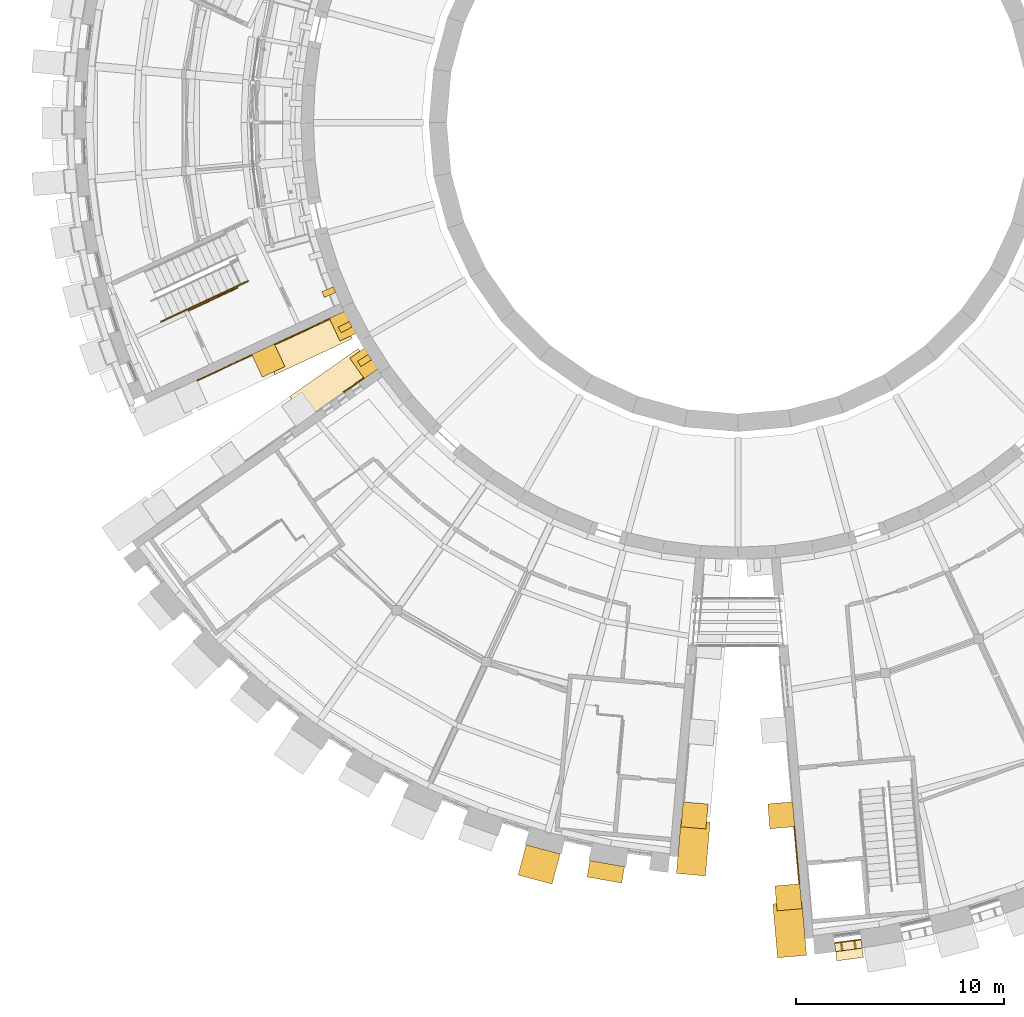
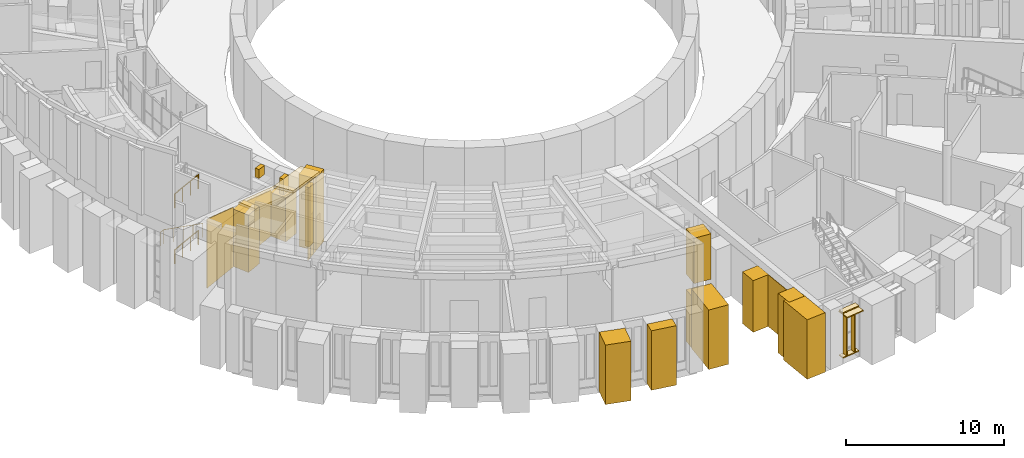
# One storey, part 52 of 66: 28 coverings, 3 railings.
"""IFC4 building model written with IfcOpenShell, lengths in metres."""

from ifc_helpers import new_model, si_unit, direction, frame, origin, origin_2d, place, context, subcontext, project, spatial, polyline, rectangle, circle, outline, extrude, material, layer, layer_set, type_object, element, save


model = new_model("IFC4")

# Units and contexts
model_context = context("Model", 3, precision=1e-05, world=origin(), true_north=direction((0.0, 1.0)))
body_context = subcontext(model_context, "Body", "Model", "MODEL_VIEW")
ifc_project = project(units=[si_unit("LENGTHUNIT", "METRE"), si_unit("AREAUNIT", "SQUARE_METRE"), si_unit("VOLUMEUNIT", "CUBIC_METRE"), si_unit("PLANEANGLEUNIT", "RADIAN"), si_unit("MASSUNIT", "GRAM", prefix="KILO")], contexts=[model_context])

# Site, building, storey
site_placement = place(None, origin())
site = spatial("IfcSite", under=ifc_project, at=site_placement, CompositionType="ELEMENT")
building_placement = place(site_placement, origin())
building = spatial("IfcBuilding", under=site, at=building_placement, Name="Volute Hill Aquarium", CompositionType="ELEMENT")
storey_placement = place(building_placement, frame((0.0, 0.0, 4.60009765625)))
storey = spatial("IfcBuildingStorey", under=building, at=storey_placement, Name="L02", CompositionType="ELEMENT", Elevation=4.60009765625)

# Coverings
ifc_material_1 = material(Name="Precast pale concrete C40/50", Category="concrete")
covering_type_1 = type_object("IfcCoveringType", Name="Drum pier fin 300x600", PredefinedType="CLADDING", material=ifc_material_1)
covering_1_placement = place(storey_placement, frame((-19.660400390625, -8.1435546875, 3.89990234375), z_axis=(0.0, 0.0, 1.0), x_axis=(0.382683432365, -0.923879532511, 0.0)))
element("IfcCovering", 1, at=covering_1_placement, inside=storey, type_object=covering_type_1, Name="Drum pier fin DF 41 L02", PredefinedType="CLADDING", context=body_context, shape_type="SweptSolid", body=[
    extrude(rectangle(XDim=0.300048828125, YDim=0.60009765625, at=origin_2d()), origin(), (0.0, 0.0, 1.0), 0.699951171875),
])
for number, where, z_axis, x_axis, name in (
    (2, (-18.8759765625, -9.826171875, -0.000244140625), (0.0, 0.0, 1.0), (0.461748613235, -0.887010833178, 0.0), "Drum pier fin DF 42 L02"),
    (3, (-17.947509765625, -11.433837890625, -0.000244140625), (0.0, 0.0, 1.0), (0.537299608347, -0.843391445813, 0.0), "Drum pier fin DF 43 L02"),
):
    element("IfcCovering", number, at=place(storey_placement, frame(where, z_axis=z_axis, x_axis=x_axis)), inside=storey, type_object=covering_type_1, Name=name, PredefinedType="CLADDING", context=body_context, shape_type="SweptSolid", body=[
        extrude(rectangle(XDim=0.300048828125, YDim=0.60009765625, at=origin_2d()), origin(), (0.0, 0.0, 1.0), 4.60009765625),
    ])
ifc_material_2 = material(Name="Precast concrete C40/50", Category="concrete")
covering_type_2 = type_object("IfcCoveringType", Name="End wall precast coping C40/50 1350x200", PredefinedType="CLADDING", material=ifc_material_2)
covering_2_placement = place(storey_placement, frame((-19.09130859375, -9.150634765625, 3.385498046875), z_axis=(-0.422602872561, 0.90631496297, 0.0), x_axis=(-0.877774208251, -0.409294690061, 0.248978505129)))
element("IfcCovering", 4, at=covering_2_placement, inside=storey, type_object=covering_type_2, Name="End wall coping EWC S1B L02 1", PredefinedType="CLADDING", context=body_context, shape_type="SweptSolid", body=[
    extrude(outline(polyline([(0.0, 0.0), (4.248805846015337, 0.0), (4.298589389887601, 0.19365451167918635), (0.04978354387226434, 0.19365451167918635), (0.0, 0.0)])), origin(), (0.0, 0.0, -1.0), 1.35009765625),
])
covering_3_placement = place(storey_placement, frame((-18.244873046875, -10.852294921875, 5.58544921875), z_axis=(-0.573593095767, 0.819140378988, 0.0), x_axis=(-0.793348580388, -0.555532702232, 0.248960733343)))
element("IfcCovering", 5, at=covering_3_placement, inside=storey, type_object=covering_type_2, Name="End wall coping EWC S2A L02 1", PredefinedType="CLADDING", context=body_context, shape_type="SweptSolid", body=[
    extrude(outline(polyline([(0.0, 0.0), (4.140258204210444, 1.1102230246251565e-16), (4.190098976022295, 0.19389187866481605), (0.04977999038281135, 0.19365542515424916), (0.0, 0.0)])), origin(), (0.0, 0.0, -1.0), 1.35009765625),
])
ifc_material_3 = material(Name="Precast concrete C40/50", Category="concrete")
covering_type_3 = type_object("IfcCoveringType", Name="End wall precast fin C40/50 1200x1200", PredefinedType="CLADDING", material=ifc_material_3)
covering_4_placement = place(storey_placement, frame((-18.837890625, -9.694580078125, 0.0), z_axis=(0.0, 0.0, 1.0), x_axis=(-0.906307811488, -0.422618209304, 0.0)))
element("IfcCovering", 6, at=covering_4_placement, inside=storey, type_object=covering_type_3, Name="End wall fin EWF S1B L02 1", PredefinedType="CLADDING", context=body_context, shape_type="SweptSolid", body=[
    extrude(rectangle(XDim=1.199951171875, YDim=1.199951171875, at=origin_2d()), origin(), (0.0, 0.0, 1.0), 3.385498046875),
])
covering_5_placement = place(storey_placement, frame((-22.5673828125, -11.43359375, 0.0), z_axis=(0.0, 0.0, 1.0), x_axis=(-0.906307811488, -0.422618209304, 0.0)))
element("IfcCovering", 7, at=covering_5_placement, inside=storey, type_object=covering_type_3, Name="End wall fin EWF S1B L02 2", PredefinedType="CLADDING", context=body_context, shape_type="SweptSolid", body=[
    extrude(rectangle(XDim=1.199951171875, YDim=1.199951171875, at=origin_2d()), origin(), (0.0, 0.0, 1.0), 4.443359375),
])
covering_6_placement = place(storey_placement, frame((-17.814697265625, -11.466796875, 0.0), z_axis=(0.0, 0.0, 1.0), x_axis=(-0.81915382895, -0.573573887583, 0.0)))
element("IfcCovering", 8, at=covering_6_placement, inside=storey, type_object=covering_type_3, Name="End wall fin EWF S2A L02 1", PredefinedType="CLADDING", context=body_context, shape_type="SweptSolid", body=[
    extrude(rectangle(XDim=1.199951171875, YDim=1.199951171875, at=origin_2d()), origin(), (0.0, 0.0, 1.0), 5.58544921875),
])
covering_7_placement = place(storey_placement, frame((-2.084716796875, -33.294921875, 0.0), z_axis=(0.0, 0.0, 1.0), x_axis=(-0.087151294349, -0.996195087266, 0.0)))
element("IfcCovering", 9, at=covering_7_placement, inside=storey, type_object=covering_type_3, Name="End wall fin EWF S2B L02 4", PredefinedType="CLADDING", context=body_context, shape_type="SweptSolid", body=[
    extrude(rectangle(XDim=1.199951171875, YDim=1.199951171875, at=origin_2d()), origin(), (0.0, 0.0, 1.0), 4.0),
])
covering_8_placement = place(storey_placement, frame((-2.084716796875, -33.294921875, 5.19970703125), z_axis=(0.0, 0.0, 1.0), x_axis=(-0.087151294349, -0.996195087266, 0.0)))
element("IfcCovering", 10, at=covering_8_placement, inside=storey, type_object=covering_type_3, Name="End wall fin EWF S2B L02 4", PredefinedType="CLADDING", context=body_context, shape_type="SweptSolid", body=[
    extrude(rectangle(XDim=1.199951171875, YDim=1.199951171875, at=origin_2d()), origin(), (0.0, 0.0, 1.0), 3.516845703125),
])
covering_9_placement = place(storey_placement, frame((2.084228515625, -33.28759765625, 0.0), z_axis=(0.0, 0.0, 1.0), x_axis=(0.0871544444, -0.996194811682, 0.0)))
element("IfcCovering", 11, at=covering_9_placement, inside=storey, type_object=covering_type_3, Name="End wall fin EWF S3A L02 4", PredefinedType="CLADDING", context=body_context, shape_type="SweptSolid", body=[
    extrude(rectangle(XDim=1.199951171875, YDim=1.199951171875, at=origin_2d()), origin(), (0.0, 0.0, 1.0), 4.0),
])
covering_10_placement = place(storey_placement, frame((2.42919921875, -37.22998046875, -0.000244140625), z_axis=(0.0, 0.0, 1.0), x_axis=(0.0871544444, -0.996194811682, 0.0)))
element("IfcCovering", 12, at=covering_10_placement, inside=storey, type_object=covering_type_3, Name="End wall fin EWF S3A L02 5", PredefinedType="CLADDING", context=body_context, shape_type="SweptSolid", body=[
    extrude(rectangle(XDim=1.199951171875, YDim=1.199951171875, at=origin_2d()), origin(), (0.0, 0.0, 1.0), 4.60009765625),
])
ifc_material_4 = material(Name="Precast concrete C40/50", Category="concrete")
ifc_layer_1 = layer(ifc_material_4, 0.050048828125)
ifc_layer_set_1 = layer_set([ifc_layer_1], Name="End wall precast infill panel C40/50 50")
covering_type_4 = type_object("IfcCoveringType", Name="End wall precast infill panel C40/50 50", PredefinedType="CLADDING", material=ifc_layer_set_1)
covering_11_placement = place(storey_placement, frame((-19.63525390625, -9.404296875, 0.0), z_axis=(-0.422624097709, 0.906305065657, 0.0), x_axis=(-0.906305065657, -0.422624097709, 0.0)))
element("IfcCovering", 13, at=covering_11_placement, inside=storey, type_object=covering_type_4, Name="End wall panel EWP S1B L02 1", PredefinedType="CLADDING", context=body_context, shape_type="SweptSolid", body=[
    extrude(outline(polyline([(0.0, 0.0), (2.914962966922533, 0.0), (2.914962966922533, 4.2890625), (0.0, 3.53955078125), (0.0, 0.0)])), origin(), (0.0, 0.0, -1.0), 0.050048828125),
])
covering_12_placement = place(storey_placement, frame((-23.364501953125, -11.143310546875, 0.0), z_axis=(-0.422592019782, 0.906320023401, 0.0), x_axis=(-0.906320023401, -0.422592019782, 0.0)))
element("IfcCovering", 14, at=covering_12_placement, inside=storey, type_object=covering_type_4, Name="End wall panel EWP S1B L02 2", PredefinedType="CLADDING", context=body_context, shape_type="SweptSolid", body=[
    extrude(outline(polyline([(0.0, 0.0), (2.915184234633669, 0.0), (2.915184234633669, 5.346923828125), (0.0, 4.59765625), (0.0, 0.0)])), origin(), (0.0, 0.0, -1.0), 0.050048828125),
])
covering_13_placement = place(storey_placement, frame((-17.99072265625, -12.261474609375, 0.0), z_axis=(-0.573608157975, 0.819129831653, 0.0), x_axis=(-0.819129831653, -0.573608157975, 0.0)))
element("IfcCovering", 15, at=covering_13_placement, inside=storey, type_object=covering_type_4, Name="End wall panel EWP S2A L02 1", PredefinedType="CLADDING", context=body_context, shape_type="SweptSolid", body=[
    extrude(outline(polyline([(0.0, 0.0), (0.3370931398232899, 0.0), (0.3370931398232899, 5.826416015625), (0.0, 5.73974609375), (0.0, 0.0)])), origin(), (0.0, 0.0, -1.0), 0.050048828125),
])
covering_14_placement = place(storey_placement, frame((-18.266845703125, -12.454833984375, 0.0), z_axis=(-0.573462344363, 0.819231920519, 0.0), x_axis=(-0.819231920519, -0.573462344363, 0.0)))
element("IfcCovering", 16, at=covering_14_placement, inside=storey, type_object=covering_type_4, Name="End wall panel EWP S2A L02 1", PredefinedType="CLADDING", context=body_context, shape_type="SweptSolid", body=[
    extrude(outline(polyline([(0.0, 0.0), (0.4499975336854954, 0.0), (0.4499975336854954, 0.89990234375), (0.0, 0.89990234375), (0.0, 0.0)])), origin(), (0.0, 0.0, -1.0), 0.050048828125),
])
covering_15_placement = place(storey_placement, frame((-18.266845703125, -12.454833984375, 3.2998046875), z_axis=(-0.573462344363, 0.819231920519, 0.0), x_axis=(-0.819231920519, -0.573462344363, 0.0)))
element("IfcCovering", 17, at=covering_15_placement, inside=storey, type_object=covering_type_4, Name="End wall panel EWP S2A L02 1", PredefinedType="CLADDING", context=body_context, shape_type="SweptSolid", body=[
    extrude(outline(polyline([(0.0, 0.0), (0.4499975336854954, 0.0), (0.4499975336854954, 2.642333984375), (0.0, 2.526611328125), (0.0, 0.0)])), origin(), (0.0, 0.0, -1.0), 0.050048828125),
])
covering_16_placement = place(storey_placement, frame((-18.635498046875, -12.712890625, 0.0), z_axis=(-0.573629173651, 0.819115114704, 0.0), x_axis=(-0.819115114704, -0.573629173651, 0.0)))
element("IfcCovering", 18, at=covering_16_placement, inside=storey, type_object=covering_type_4, Name="End wall panel EWP S2A L02 1", PredefinedType="CLADDING", context=body_context, shape_type="SweptSolid", body=[
    extrude(outline(polyline([(0.0, 0.0), (0.3928353145653525, 0.0), (0.3928353145653525, 6.04296875), (0.0, 5.942138671875), (0.0, 0.0)])), origin(), (0.0, 0.0, -1.0), 0.050048828125),
])
covering_17_placement = place(storey_placement, frame((2.684326171875, -33.83740234375, 0.0), z_axis=(-0.996189583761, -0.087214180073, 0.0), x_axis=(0.087214180073, -0.996189583761, 0.0)))
element("IfcCovering", 19, at=covering_17_placement, inside=storey, type_object=covering_type_4, Name="End wall panel EWP S3A L02 4", PredefinedType="CLADDING", context=body_context, shape_type="SweptSolid", body=[
    extrude(outline(polyline([(0.0, 0.0), (2.75733275738977, 0.0), (2.75733275738977, 4.000000000000001), (0.0, 4.000000000000001), (0.0, 0.0)])), origin(), (0.0, 0.0, -1.0), 0.050048828125),
])

# Railings
ifc_material_5 = material(Name="Stainless steel 1.4301", Category="steel")
railing_type = type_object("IfcRailingType", Name="Guard 1100 stainless", PredefinedType="GUARDRAIL", material=ifc_material_5)
railing_1_placement = place(storey_placement, frame((-26.4052734375, -9.035888671875, 0.0)))
element("IfcRailing", 20, at=railing_1_placement, inside=storey, type_object=railing_type, Name="gd/S1-B/L02/edge", PredefinedType="GUARDRAIL", context=body_context, shape_type="SweptSolid", body=[
    extrude(circle(Radius=0.02392578125, at=origin_2d()), frame((0.0, 0.0, 1.076171875), z_axis=(0.906300648467, 0.422633570115, 0.0), x_axis=(-0.422633570115, 0.906300648467, 0.0)), (0.0, 0.0, 1.0), 2.60009765625),
    extrude(circle(Radius=0.02099609375, at=origin_2d()), origin(), (0.0, 0.0, 1.0), 1.052001953125),
    extrude(circle(Radius=0.02099609375, at=origin_2d()), frame((0.785400390625, 0.3662109375, 0.0)), (0.0, 0.0, 1.0), 1.052001953125),
    extrude(circle(Radius=0.02099609375, at=origin_2d()), frame((1.571044921875, 0.732666015625, 0.0)), (0.0, 0.0, 1.0), 1.052001953125),
    extrude(circle(Radius=0.02099609375, at=origin_2d()), frame((2.3564453125, 1.098876953125, 0.0)), (0.0, 0.0, 1.0), 1.052001953125),
])
railing_2_placement = place(storey_placement, frame((-23.538818359375, -7.611083984375, 0.166015625)))
element("IfcRailing", 21, at=railing_2_placement, inside=storey, type_object=railing_type, Name="gd/S1-B/L02/1", PredefinedType="GUARDRAIL", context=body_context, shape_type="SweptSolid", body=[
    extrude(circle(Radius=0.02392578125, at=origin_2d()), frame((0.0, 0.0, 1.076171875), z_axis=(-0.822891101638, -0.383711396025, 0.419065387983), x_axis=(0.42261009579, -0.906311594837, 0.0)), (0.0, 0.0, 1.0), 4.758056640625),
    extrude(circle(Radius=0.02392578125, at=origin_2d()), frame((-3.915283203125, -1.82568359375, 3.06982421875), z_axis=(-0.906453195831, -0.422306291415, 0.0), x_axis=(0.422306291415, -0.906453195831, 0.0)), (0.0, 0.0, 1.0), 0.300048828125),
    extrude(circle(Radius=0.02099609375, at=origin_2d()), origin(), (0.0, 0.0, 1.0), 1.052001953125),
    extrude(circle(Radius=0.02099609375, at=origin_2d()), frame((-0.978759765625, -0.45654296875, 0.49853515625)), (0.0, 0.0, 1.0), 1.052001953125),
    extrude(circle(Radius=0.02099609375, at=origin_2d()), frame((-1.95751953125, -0.912841796875, 0.9970703125)), (0.0, 0.0, 1.0), 1.052001953125),
    extrude(circle(Radius=0.02099609375, at=origin_2d()), frame((-2.9365234375, -1.369140625, 1.495361328125)), (0.0, 0.0, 1.0), 1.052001953125),
    extrude(circle(Radius=0.02099609375, at=origin_2d()), frame((-3.915283203125, -1.82568359375, 1.993896484375)), (0.0, 0.0, 1.0), 1.052001953125),
    extrude(circle(Radius=0.02099609375, at=origin_2d()), frame((-4.187255859375, -1.952392578125, 1.993896484375)), (0.0, 0.0, 1.0), 1.052001953125),
])
railing_3_placement = place(storey_placement, frame((-26.4052734375, -9.035888671875, 4.31982421875)))
element("IfcRailing", 22, at=railing_3_placement, inside=storey, type_object=railing_type, Name="gd/S1-B/L02/roof", PredefinedType="GUARDRAIL", context=body_context, shape_type="SweptSolid", body=[
    extrude(circle(Radius=0.02392578125, at=origin_2d()), frame((0.0, 0.0, 1.076171875), z_axis=(0.906300648467, 0.422633570115, 0.0), x_axis=(-0.422633570115, 0.906300648467, 0.0)), (0.0, 0.0, 1.0), 2.60009765625),
    extrude(circle(Radius=0.02099609375, at=origin_2d()), origin(), (0.0, 0.0, 1.0), 1.052001953125),
    extrude(circle(Radius=0.02099609375, at=origin_2d()), frame((0.785400390625, 0.3662109375, 0.0)), (0.0, 0.0, 1.0), 1.052001953125),
    extrude(circle(Radius=0.02099609375, at=origin_2d()), frame((1.571044921875, 0.732666015625, 0.0)), (0.0, 0.0, 1.0), 1.052001953125),
    extrude(circle(Radius=0.02099609375, at=origin_2d()), frame((2.3564453125, 1.098876953125, 0.0)), (0.0, 0.0, 1.0), 1.052001953125),
])

# Coverings
ifc_material_6 = material(Name="Aluminium, anodised", Category="aluminium")
ifc_layer_2 = layer(ifc_material_6, 0.080078125)
ifc_layer_set_2 = layer_set([ifc_layer_2], Name="Horizontal brise-soleil eyebrow 900x80")
covering_type_5 = type_object("IfcCoveringType", Name="Horizontal brise-soleil eyebrow 900x80", PredefinedType="CLADDING", material=ifc_layer_set_2)
covering_18_placement = place(storey_placement, frame((5.3349609375, -39.756103515625, 3.809814453125), z_axis=(0.0, 0.0, 1.0), x_axis=(0.991446923126, 0.130510530703, 0.0)))
element("IfcCovering", 23, at=covering_18_placement, inside=storey, type_object=covering_type_5, Name="Brise-soleil eyebrow BS S3 L02 1.1", PredefinedType="CLADDING", context=body_context, shape_type="SweptSolid", body=[
    extrude(rectangle(XDim=1.2890625, YDim=0.89990234375, at=origin_2d()), origin(), (0.0, 0.0, 1.0), 0.080078125),
])
ifc_material_7 = material(Name="Precast concrete C40/50", Category="concrete")
covering_type_6 = type_object("IfcCoveringType", Name="Projecting pier precast concrete C40/50 1689x1500", PredefinedType="CLADDING", material=ifc_material_7)
covering_19_placement = place(storey_placement, frame((-9.55322265625, -35.653076171875, -0.000244140625), z_axis=(0.0, 0.0, 1.0), x_axis=(0.965925826289, -0.258819045103, 0.0)))
element("IfcCovering", 24, at=covering_19_placement, inside=storey, type_object=covering_type_6, Name="Projecting pier PP S2 L02 8", PredefinedType="CLADDING", context=body_context, shape_type="SweptSolid", body=[
    extrude(rectangle(XDim=1.688720703125, YDim=1.5, at=origin_2d()), origin(), (0.0, 0.0, 1.0), 4.60009765625),
])
ifc_material_8 = material(Name="Precast concrete C40/50", Category="concrete")
covering_type_7 = type_object("IfcCoveringType", Name="Projecting pier precast concrete C40/50 1689x800", PredefinedType="CLADDING", material=ifc_material_8)
covering_20_placement = place(storey_placement, frame((-6.3486328125, -36.00537109375, -0.000244140625), z_axis=(0.0, 0.0, 1.0), x_axis=(0.984807753012, -0.173648177667, 0.0)))
element("IfcCovering", 25, at=covering_20_placement, inside=storey, type_object=covering_type_7, Name="Projecting pier PP S2 L02 9", PredefinedType="CLADDING", context=body_context, shape_type="SweptSolid", body=[
    extrude(rectangle(XDim=1.688720703125, YDim=0.800048828125, at=origin_2d()), origin(), (0.0, 0.0, 1.0), 4.60009765625),
])
ifc_material_9 = material(Name="Precast concrete C40/50", Category="concrete")
covering_type_8 = type_object("IfcCoveringType", Name="Step pylon precast concrete C40/50 1400x2600", PredefinedType="CLADDING", material=ifc_material_9)
for number, where, z_axis, x_axis, name in (
    (26, (-2.14501953125, -34.845703125, -0.000244140625), (0.0, 0.0, 1.0), (-0.087155742748, -0.996194698092, 0.0), "Step pylon SPY S2B L02"),
    (27, (2.489501953125, -38.78076171875, -0.000244140625), (0.0, 0.0, 1.0), (0.087155742748, -0.996194698092, 0.0), "Step pylon SPY S3A L02"),
):
    element("IfcCovering", number, at=place(storey_placement, frame(where, z_axis=z_axis, x_axis=x_axis)), inside=storey, type_object=covering_type_8, Name=name, PredefinedType="CLADDING", context=body_context, shape_type="SweptSolid", body=[
        extrude(rectangle(XDim=2.60009765625, YDim=1.39990234375, at=origin_2d()), origin(), (0.0, 0.0, 1.0), 4.60009765625),
    ])
ifc_material_10 = material(Name="Timber, thermally modified ash", Category="wood")
covering_type_9 = type_object("IfcCoveringType", Name="Timber louvre fin 60x400", PredefinedType="CLADDING", material=ifc_material_10)
for number, where, z_axis, x_axis, name in (
    (28, (4.9892578125, -39.599853515625, 0.52978515625), (0.0, 0.0, 1.0), (0.991446923126, 0.130510530703, 0.0), "Timber louvre fin S3 L02 1.1.1"),
    (29, (5.62841796875, -39.515625, 0.52978515625), (0.0, 0.0, 1.0), (0.991446923126, 0.130510530703, 0.0), "Timber louvre fin S3 L02 1.1.2"),
):
    element("IfcCovering", number, at=place(storey_placement, frame(where, z_axis=z_axis, x_axis=x_axis)), inside=storey, type_object=covering_type_9, Name=name, PredefinedType="CLADDING", context=body_context, shape_type="SweptSolid", body=[
        extrude(rectangle(XDim=0.06005859375, YDim=0.39990234375, at=origin_2d()), origin(), (0.0, 0.0, 1.0), 3.389892578125),
    ])
ifc_material_11 = material(Name="Timber, thermally modified ash", Category="wood")
covering_type_10 = type_object("IfcCoveringType", Name="Timber louvre fin rail 400x80", PredefinedType="CLADDING", material=ifc_material_11)
for number, where, z_axis, x_axis, name in (
    (30, (5.308837890625, -39.5576171875, 0.449951171875), (0.0, 0.0, 1.0), (0.991446923126, 0.130510530703, 0.0), "Timber louvre fin rail S3 L02 1.1"),
    (31, (5.308837890625, -39.5576171875, 3.919921875), (0.0, 0.0, 1.0), (0.991446923126, 0.130510530703, 0.0), "Timber louvre fin rail S3 L02 1.2"),
):
    element("IfcCovering", number, at=place(storey_placement, frame(where, z_axis=z_axis, x_axis=x_axis)), inside=storey, type_object=covering_type_10, Name=name, PredefinedType="CLADDING", context=body_context, shape_type="SweptSolid", body=[
        extrude(rectangle(XDim=1.2890625, YDim=0.39990234375, at=origin_2d()), origin(), (0.0, 0.0, 1.0), 0.080078125),
    ])

save(model, "model.ifc")
